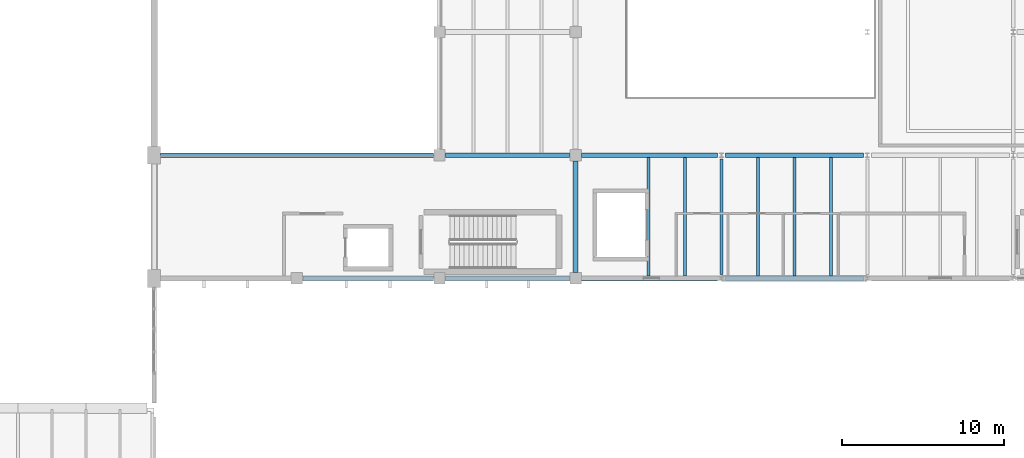
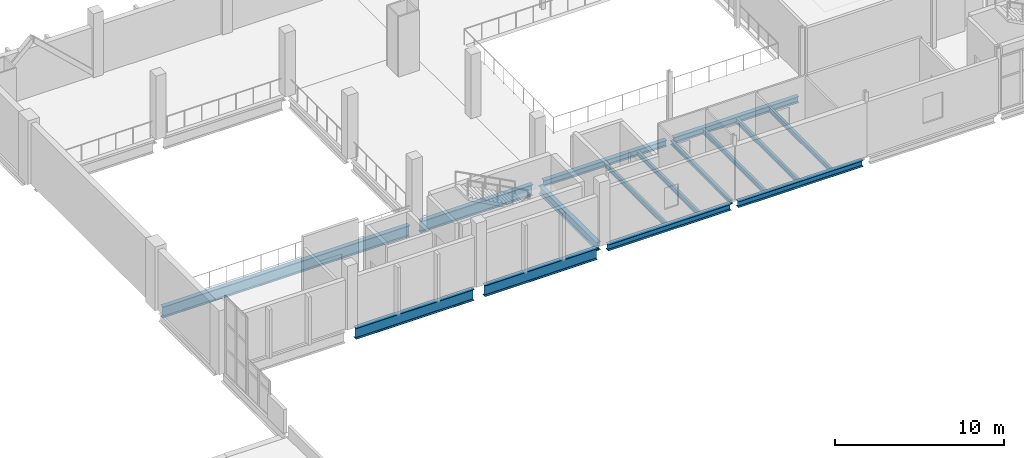
# One storey, part 13 of 37: 15 beams.
"""IFC4 building model written with IfcOpenShell, lengths in metres."""

from ifc_helpers import new_model, si_unit, direction, frame, origin, origin_2d, place, context, subcontext, project, spatial, i_section, extrude, material, material_profile, profile_set, type_object, element, save


model = new_model("IFC4")

# Units and contexts
model_context = context("Model", 3, precision=1e-05, world=origin(), true_north=direction((0.0, 1.0)))
body_context = subcontext(model_context, "Body", "Model", "MODEL_VIEW")
ifc_project = project(units=[si_unit("LENGTHUNIT", "METRE"), si_unit("AREAUNIT", "SQUARE_METRE"), si_unit("VOLUMEUNIT", "CUBIC_METRE"), si_unit("PLANEANGLEUNIT", "RADIAN"), si_unit("MASSUNIT", "GRAM", prefix="KILO")], contexts=[model_context])

# Site, building, storey
site_placement = place(None, origin())
site = spatial("IfcSite", under=ifc_project, at=site_placement, CompositionType="ELEMENT")
building_placement = place(site_placement, origin())
building = spatial("IfcBuilding", under=site, at=building_placement, Name="Shengluoqiao Park Theatre", CompositionType="ELEMENT")
storey_placement = place(building_placement, frame((0.0, 0.0, 19.199951171875)))
storey = spatial("IfcBuildingStorey", under=building, at=storey_placement, Name="L04", CompositionType="ELEMENT", Elevation=19.199951171875)

# Beams
ifc_material_1 = material(Name="Steel Q355", Category="steel")
ifc_material_profile_1 = material_profile(ifc_material_1, i_section(OverallWidth=0.199951171875, OverallDepth=0.2939453125, WebThickness=0.008056640625, FlangeThickness=0.011962890625, FilletRadius=0.01611328125, at=origin_2d()), Name="HM 294x200x8x12")
ifc_profile_set_1 = profile_set([ifc_material_profile_1], Name="Steel Q355")
beam_type_1 = type_object("IfcBeamType", Name="STR-BM-G-HM294", PredefinedType="BEAM", material=ifc_profile_set_1)
beam_1_placement = place(storey_placement, frame((121.39990234375, 84.243896484375, -0.386962890625), z_axis=(0.0, 1.0, 0.0), x_axis=(-1.0, 0.0, 0.0)))
element("IfcBeam", 1, at=beam_1_placement, inside=storey, type_object=beam_type_1, Name="L04 Transverse Girder 01561", PredefinedType="BEAM", context=body_context, shape_type="SweptSolid", body=[
    extrude(i_section(OverallWidth=0.199951171875, OverallDepth=0.2939453125, WebThickness=0.008056640625, FlangeThickness=0.011962890625, FilletRadius=0.01611328125, at=origin_2d()), origin(), (0.0, 0.0, 1.0), 7.112060546875),
])
ifc_material_profile_2 = material_profile(ifc_material_1, i_section(OverallWidth=0.300048828125, OverallDepth=0.43994140625, WebThickness=0.010986328125, FlangeThickness=0.01806640625, FilletRadius=0.02001953125, at=origin_2d()), Name="HM 440x300x11x18")
ifc_profile_set_2 = profile_set([ifc_material_profile_2], Name="Steel Q355")
beam_type_2 = type_object("IfcBeamType", Name="STR-BM-G-HM440", PredefinedType="BEAM", material=ifc_profile_set_2)
beam_2_placement = place(storey_placement, frame((112.76904296875, 84.0, -0.4599609375), z_axis=(1.0, 0.0, 0.0), x_axis=(0.0, 1.0, 0.0)))
element("IfcBeam", 2, at=beam_2_placement, inside=storey, type_object=beam_type_2, Name="L04 Primary Girder 01549", PredefinedType="BEAM", context=body_context, shape_type="SweptSolid", body=[
    extrude(i_section(OverallWidth=0.300048828125, OverallDepth=0.43994140625, WebThickness=0.010986328125, FlangeThickness=0.01806640625, FilletRadius=0.02001953125, at=origin_2d()), origin(), (0.0, 0.0, 1.0), 8.386962890625),
])
beam_3_placement = place(storey_placement, frame((121.64404296875, 84.0, -0.4599609375), z_axis=(1.0, 0.0, 0.0), x_axis=(0.0, 1.0, 0.0)))
element("IfcBeam", 3, at=beam_3_placement, inside=storey, type_object=beam_type_2, Name="L04 Primary Girder 01550", PredefinedType="BEAM", context=body_context, shape_type="SweptSolid", body=[
    extrude(i_section(OverallWidth=0.300048828125, OverallDepth=0.43994140625, WebThickness=0.010986328125, FlangeThickness=0.01806640625, FilletRadius=0.02001953125, at=origin_2d()), origin(), (0.0, 0.0, 1.0), 8.511962890625),
])
beam_4_placement = place(storey_placement, frame((112.76904296875, 91.60009765625, -0.4599609375), z_axis=(1.0, 0.0, 0.0), x_axis=(0.0, 1.0, 0.0)))
element("IfcBeam", 4, at=beam_4_placement, inside=storey, type_object=beam_type_2, Name="L04 Primary Girder 01552", PredefinedType="BEAM", context=body_context, shape_type="SweptSolid", body=[
    extrude(i_section(OverallWidth=0.300048828125, OverallDepth=0.43994140625, WebThickness=0.010986328125, FlangeThickness=0.01806640625, FilletRadius=0.02001953125, at=origin_2d()), origin(), (0.0, 0.0, 1.0), 8.386962890625),
])
beam_5_placement = place(storey_placement, frame((121.64404296875, 91.60009765625, -0.4599609375), z_axis=(1.0, 0.0, 0.0), x_axis=(0.0, 1.0, 0.0)))
element("IfcBeam", 5, at=beam_5_placement, inside=storey, type_object=beam_type_2, Name="L04 Primary Girder 01553", PredefinedType="BEAM", context=body_context, shape_type="SweptSolid", body=[
    extrude(i_section(OverallWidth=0.300048828125, OverallDepth=0.43994140625, WebThickness=0.010986328125, FlangeThickness=0.01806640625, FilletRadius=0.02001953125, at=origin_2d()), origin(), (0.0, 0.0, 1.0), 8.511962890625),
])
ifc_material_profile_3 = material_profile(ifc_material_1, i_section(OverallWidth=0.300048828125, OverallDepth=0.58203125, WebThickness=0.011962890625, FlangeThickness=0.01708984375, FilletRadius=0.02392578125, at=origin_2d()), Name="HM 582x300x12x17")
ifc_profile_set_3 = profile_set([ifc_material_profile_3], Name="Steel Q355")
beam_type_3 = type_object("IfcBeamType", Name="STR-BM-G-HM582", PredefinedType="BEAM", material=ifc_profile_set_3)
beam_6_placement = place(storey_placement, frame((112.39990234375, 84.368896484375, -0.531005859375), z_axis=(0.0, 1.0, 0.0), x_axis=(-1.0, 0.0, 0.0)))
element("IfcBeam", 6, at=beam_6_placement, inside=storey, type_object=beam_type_3, Name="L04 Transverse Girder 01518", PredefinedType="BEAM", context=body_context, shape_type="SweptSolid", body=[
    extrude(i_section(OverallWidth=0.300048828125, OverallDepth=0.58203125, WebThickness=0.011962890625, FlangeThickness=0.01708984375, FilletRadius=0.02392578125, at=origin_2d()), origin(), (0.0, 0.0, 1.0), 6.862060546875),
])
ifc_material_2 = material(Name="Steel Q390", Category="steel")
ifc_material_profile_4 = material_profile(ifc_material_2, i_section(OverallWidth=0.300048828125, OverallDepth=0.800048828125, WebThickness=0.013916015625, FlangeThickness=0.02587890625, FilletRadius=0.02587890625, at=origin_2d()), Name="HN 800x300x14x26")
ifc_profile_set_4 = profile_set([ifc_material_profile_4], Name="Steel Q390")
beam_type_4 = type_object("IfcBeamType", Name="STR-BM-G-HN800", PredefinedType="BEAM", material=ifc_profile_set_4)
beam_7_placement = place(storey_placement, frame((95.569091796875, 84.0, -0.639892578125), z_axis=(1.0, 0.0, 0.0), x_axis=(0.0, 1.0, 0.0)))
element("IfcBeam", 7, at=beam_7_placement, inside=storey, type_object=beam_type_4, Name="L04 Primary Girder 01513", PredefinedType="BEAM", context=body_context, shape_type="SweptSolid", body=[
    extrude(i_section(OverallWidth=0.300048828125, OverallDepth=0.800048828125, WebThickness=0.013916015625, FlangeThickness=0.02587890625, FilletRadius=0.02587890625, at=origin_2d()), origin(), (0.0, 0.0, 1.0), 8.06201171875),
])
beam_8_placement = place(storey_placement, frame((104.368896484375, 84.0, -0.639892578125), z_axis=(1.0, 0.0, 0.0), x_axis=(0.0, 1.0, 0.0)))
element("IfcBeam", 8, at=beam_8_placement, inside=storey, type_object=beam_type_4, Name="L04 Primary Girder 01514", PredefinedType="BEAM", context=body_context, shape_type="SweptSolid", body=[
    extrude(i_section(OverallWidth=0.300048828125, OverallDepth=0.800048828125, WebThickness=0.013916015625, FlangeThickness=0.02587890625, FilletRadius=0.02587890625, at=origin_2d()), origin(), (0.0, 0.0, 1.0), 7.662109375),
])
beam_9_placement = place(storey_placement, frame((86.7939453125, 91.60009765625, -0.639892578125), z_axis=(1.0, 0.0, 0.0), x_axis=(0.0, 1.0, 0.0)))
element("IfcBeam", 9, at=beam_9_placement, inside=storey, type_object=beam_type_4, Name="L04 Primary Girder 01515", PredefinedType="BEAM", context=body_context, shape_type="SweptSolid", body=[
    extrude(i_section(OverallWidth=0.300048828125, OverallDepth=0.800048828125, WebThickness=0.013916015625, FlangeThickness=0.02587890625, FilletRadius=0.02587890625, at=origin_2d()), origin(), (0.0, 0.0, 1.0), 16.837158203125),
])
beam_10_placement = place(storey_placement, frame((104.368896484375, 91.60009765625, -0.639892578125), z_axis=(1.0, 0.0, 0.0), x_axis=(0.0, 1.0, 0.0)))
element("IfcBeam", 10, at=beam_10_placement, inside=storey, type_object=beam_type_4, Name="L04 Primary Girder 01516", PredefinedType="BEAM", context=body_context, shape_type="SweptSolid", body=[
    extrude(i_section(OverallWidth=0.300048828125, OverallDepth=0.800048828125, WebThickness=0.013916015625, FlangeThickness=0.02587890625, FilletRadius=0.02587890625, at=origin_2d()), origin(), (0.0, 0.0, 1.0), 7.662109375),
])
ifc_material_profile_5 = material_profile(ifc_material_1, i_section(OverallWidth=0.175048828125, OverallDepth=0.35009765625, WebThickness=0.007080078125, FlangeThickness=0.010986328125, FilletRadius=0.013916015625, at=origin_2d()), Name="HN 350x175x7x11")
ifc_profile_set_5 = profile_set([ifc_material_profile_5], Name="Steel Q355")
beam_type_5 = type_object("IfcBeamType", Name="STR-BM-J-HN350", PredefinedType="JOIST", material=ifc_profile_set_5)
for number, where, z_axis, x_axis, name in (
    (11, (116.89990234375, 84.14501953125, -0.4150390625), (0.0, 1.0, 0.0), (-1.0, 0.0, 0.0), "L04 Composite Joist 01568"),
    (12, (119.14990234375, 84.14501953125, -0.4150390625), (0.0, 1.0, 0.0), (-1.0, 0.0, 0.0), "L04 Composite Joist 01569"),
    (13, (123.64990234375, 84.14501953125, -0.4150390625), (0.0, 1.0, 0.0), (-1.0, 0.0, 0.0), "L04 Composite Joist 01573"),
    (14, (125.89990234375, 84.14501953125, -0.4150390625), (0.0, 1.0, 0.0), (-1.0, 0.0, 0.0), "L04 Composite Joist 01574"),
    (15, (128.14990234375, 84.14501953125, -0.4150390625), (0.0, 1.0, 0.0), (-1.0, 0.0, 0.0), "L04 Composite Joist 01575"),
):
    element("IfcBeam", number, at=place(storey_placement, frame(where, z_axis=z_axis, x_axis=x_axis)), inside=storey, type_object=beam_type_5, Name=name, PredefinedType="JOIST", context=body_context, shape_type="SweptSolid", body=[
        extrude(i_section(OverallWidth=0.175048828125, OverallDepth=0.35009765625, WebThickness=0.007080078125, FlangeThickness=0.010986328125, FilletRadius=0.013916015625, at=origin_2d()), origin(), (0.0, 0.0, 1.0), 7.31005859375),
    ])

save(model, "model.ifc")
